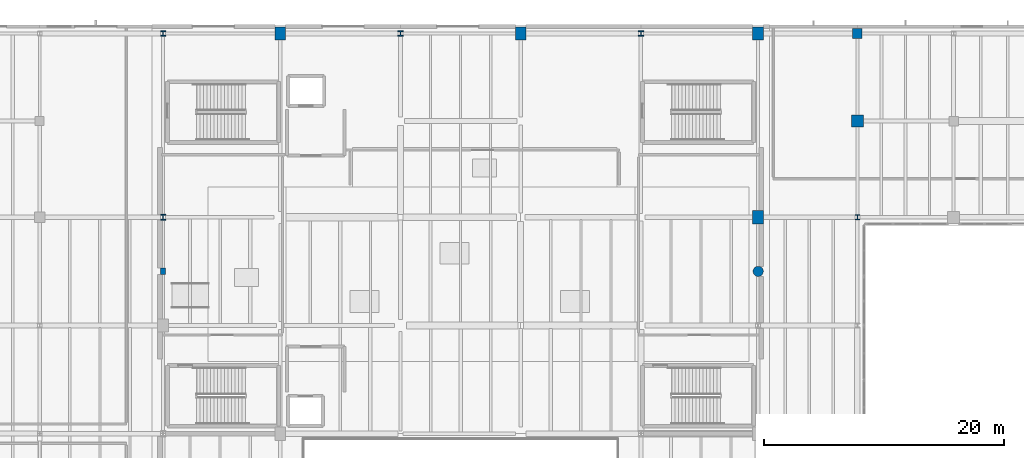
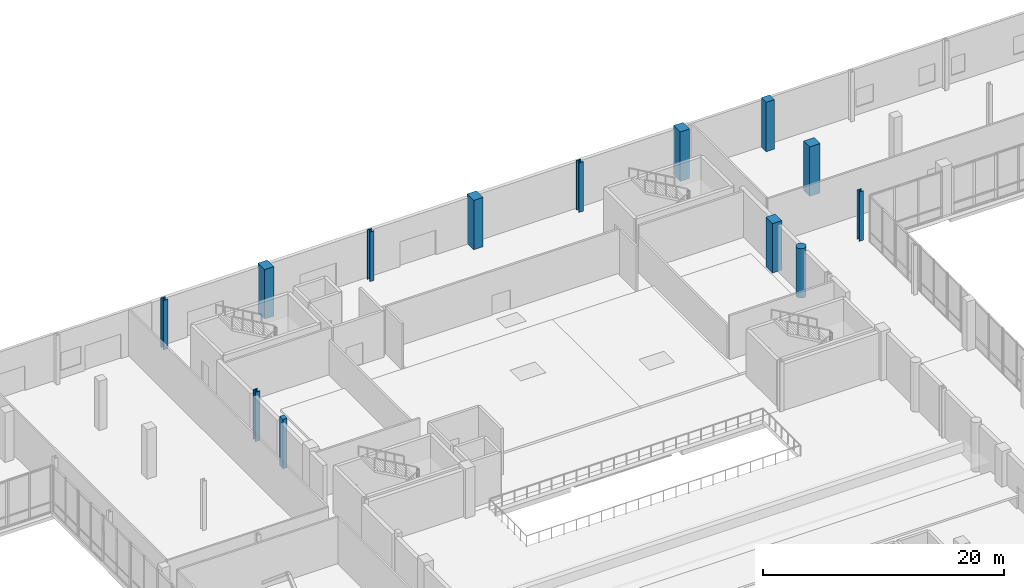
# One storey, part 13 of 88: 13 columns.
"""IFC4 building model written with IfcOpenShell, lengths in metres."""

from ifc_helpers import new_model, si_unit, direction, frame, origin, origin_2d, place, context, subcontext, project, spatial, rectangle, circle, i_section, extrude, material, material_profile, profile_set, type_object, element, save


model = new_model("IFC4")

# Units and contexts
model_context = context("Model", 3, precision=1e-05, world=origin(), true_north=direction((0.0, 1.0)))
body_context = subcontext(model_context, "Body", "Model", "MODEL_VIEW")
ifc_project = project(units=[si_unit("LENGTHUNIT", "METRE"), si_unit("AREAUNIT", "SQUARE_METRE"), si_unit("VOLUMEUNIT", "CUBIC_METRE"), si_unit("PLANEANGLEUNIT", "RADIAN"), si_unit("MASSUNIT", "GRAM", prefix="KILO")], contexts=[model_context])

# Site, building, storey
site_placement = place(None, origin())
site = spatial("IfcSite", under=ifc_project, at=site_placement, CompositionType="ELEMENT")
building_placement = place(site_placement, origin())
building = spatial("IfcBuilding", under=site, at=building_placement, Name="Trimount Lyric Opera House", CompositionType="ELEMENT")
storey_placement = place(building_placement, origin())
storey = spatial("IfcBuildingStorey", under=building, at=storey_placement, Name="L00", CompositionType="ELEMENT", Elevation=0.0)

# Columns
ifc_material_1 = material(Name="Steel ASTM A992 Grade 50", Category="steel")
ifc_material_profile_1 = material_profile(ifc_material_1, i_section(OverallWidth=0.422119140625, OverallDepth=0.465087890625, WebThickness=0.044921875, FlangeThickness=0.072509765625, FilletRadius=0.02001953125, at=origin_2d()), Name="W14X398")
ifc_profile_set_1 = profile_set([ifc_material_profile_1], Name="Steel ASTM A992 Grade 50")
column_type_1 = type_object("IfcColumnType", Name="C-01", PredefinedType="COLUMN", material=ifc_profile_set_1)
for number, where, z_axis, x_axis, name in (
    (1, (64.260009765625, 102.0, 0.0), (0.0, 0.0, 1.0), (1.0, 0.0, 0.0), "L00 column 8/M"),
    (2, (64.260009765625, 117.280029296875, 0.0), (0.0, 0.0, 1.0), (1.0, 0.0, 0.0), "L00 column 8/P"),
    (3, (84.0, 117.280029296875, 0.0), (0.0, 0.0, 1.0), (1.0, 0.0, 0.0), "L00 column 10/P"),
    (4, (104.0, 117.280029296875, 0.0), (0.0, 0.0, 1.0), (1.0, 0.0, 0.0), "L00 column 12/P"),
):
    element("IfcColumn", number, at=place(storey_placement, frame(where, z_axis=z_axis, x_axis=x_axis)), inside=storey, type_object=column_type_1, Name=name, PredefinedType="COLUMN", context=body_context, shape_type="SweptSolid", body=[
        extrude(i_section(OverallWidth=0.422119140625, OverallDepth=0.465087890625, WebThickness=0.044921875, FlangeThickness=0.072509765625, FilletRadius=0.02001953125, at=origin_2d()), origin(), (0.0, 0.0, 1.0), 5.0),
    ])
ifc_material_2 = material(Name="Steel ASTM A992 Grade 50", Category="steel")
ifc_material_profile_2 = material_profile(ifc_material_2, i_section(OverallWidth=0.39892578125, OverallDepth=0.385986328125, WebThickness=0.02099609375, FlangeThickness=0.033203125, FilletRadius=0.01611328125, at=origin_2d()), Name="W14X176")
ifc_profile_set_2 = profile_set([ifc_material_profile_2], Name="Steel ASTM A992 Grade 50")
column_type_2 = type_object("IfcColumnType", Name="C-03", PredefinedType="COLUMN", material=ifc_profile_set_2)
column_1_placement = place(storey_placement, frame((122.0, 102.0, 0.0), z_axis=(0.0, 0.0, 1.0), x_axis=(1.0, 0.0, 0.0)))
element("IfcColumn", 5, at=column_1_placement, inside=storey, type_object=column_type_2, Name="L00 column 14/M", PredefinedType="COLUMN", context=body_context, shape_type="SweptSolid", body=[
    extrude(i_section(OverallWidth=0.39892578125, OverallDepth=0.385986328125, WebThickness=0.02099609375, FlangeThickness=0.033203125, FilletRadius=0.01611328125, at=origin_2d()), origin(), (0.0, 0.0, 1.0), 5.0),
])
ifc_material_3 = material(Name="Concrete C50/60", Category="concrete")
ifc_material_profile_3 = material_profile(ifc_material_3, rectangle(XDim=0.89990234375, YDim=1.10009765625, at=origin_2d()), Name="RC1100X900")
ifc_profile_set_3 = profile_set([ifc_material_profile_3], Name="Concrete C50/60")
column_type_3 = type_object("IfcColumnType", Name="C-11", PredefinedType="COLUMN", material=ifc_profile_set_3)
for number, where, z_axis, x_axis, name in (
    (6, (74.0, 117.280029296875, 0.0), (0.0, 0.0, 1.0), (1.0, 0.0, 0.0), "L00 column 9/P"),
    (7, (94.0, 117.280029296875, 0.0), (0.0, 0.0, 1.0), (1.0, 0.0, 0.0), "L00 column 11/P"),
    (8, (113.739990234375, 102.0, 0.0), (0.0, 0.0, 1.0), (1.0, 0.0, 0.0), "L00 column 13/M"),
    (9, (113.739990234375, 117.280029296875, 0.0), (0.0, 0.0, 1.0), (1.0, 0.0, 0.0), "L00 column 13/P"),
):
    element("IfcColumn", number, at=place(storey_placement, frame(where, z_axis=z_axis, x_axis=x_axis)), inside=storey, type_object=column_type_3, Name=name, PredefinedType="COLUMN", context=body_context, shape_type="SweptSolid", body=[
        extrude(rectangle(XDim=0.89990234375, YDim=1.10009765625, at=origin_2d()), origin(), (0.0, 0.0, 1.0), 5.0),
    ])
ifc_material_4 = material(Name="Concrete C50/60", Category="concrete")
ifc_material_profile_4 = material_profile(ifc_material_4, rectangle(XDim=1.0, YDim=1.0, at=origin_2d()), Name="RC1000X1000")
ifc_profile_set_4 = profile_set([ifc_material_profile_4], Name="Concrete C50/60")
column_type_4 = type_object("IfcColumnType", Name="C-12", PredefinedType="COLUMN", material=ifc_profile_set_4)
column_2_placement = place(storey_placement, frame((122.0, 110.0, 0.0), z_axis=(0.0, 0.0, 1.0), x_axis=(1.0, 0.0, 0.0)))
element("IfcColumn", 10, at=column_2_placement, inside=storey, type_object=column_type_4, Name="L00 column 14/N", PredefinedType="COLUMN", context=body_context, shape_type="SweptSolid", body=[
    extrude(rectangle(XDim=1.0, YDim=1.0, at=origin_2d()), origin(), (0.0, 0.0, 1.0), 5.0),
])
ifc_material_5 = material(Name="Concrete C40/50", Category="concrete")
ifc_material_profile_5 = material_profile(ifc_material_5, rectangle(XDim=0.800048828125, YDim=0.800048828125, at=origin_2d()), Name="RC800X800")
ifc_profile_set_5 = profile_set([ifc_material_profile_5], Name="Concrete C40/50")
column_type_5 = type_object("IfcColumnType", Name="C-14", PredefinedType="COLUMN", material=ifc_profile_set_5)
column_3_placement = place(storey_placement, frame((122.0, 117.280029296875, 0.0), z_axis=(0.0, 0.0, 1.0), x_axis=(1.0, 0.0, 0.0)))
element("IfcColumn", 11, at=column_3_placement, inside=storey, type_object=column_type_5, Name="L00 column 14/P", PredefinedType="COLUMN", context=body_context, shape_type="SweptSolid", body=[
    extrude(rectangle(XDim=0.800048828125, YDim=0.800048828125, at=origin_2d()), origin(), (0.0, 0.0, 1.0), 5.0),
])
ifc_material_6 = material(Name="Concrete C40/50", Category="concrete")
ifc_material_profile_6 = material_profile(ifc_material_6, rectangle(XDim=0.39990234375, YDim=0.550048828125, at=origin_2d()), Name="RC550X400")
ifc_profile_set_6 = profile_set([ifc_material_profile_6], Name="Concrete C40/50")
column_type_6 = type_object("IfcColumnType", Name="CP-01", PredefinedType="PILASTER", material=ifc_profile_set_6)
column_4_placement = place(storey_placement, frame((64.25, 97.5, 0.0), z_axis=(0.0, 0.0, 1.0), x_axis=(1.0, 0.0, 0.0)))
element("IfcColumn", 12, at=column_4_placement, inside=storey, type_object=column_type_6, Name="L00 acoustic shell pilaster W4", PredefinedType="PILASTER", context=body_context, shape_type="SweptSolid", body=[
    extrude(rectangle(XDim=0.39990234375, YDim=0.550048828125, at=origin_2d()), origin(), (0.0, 0.0, 1.0), 5.0),
])
ifc_material_7 = material(Name="Concrete C50/60", Category="concrete")
ifc_material_profile_7 = material_profile(ifc_material_7, circle(Radius=0.425048828125, at=origin_2d()), Name="RC-D850")
ifc_profile_set_7 = profile_set([ifc_material_profile_7], Name="Concrete C50/60")
column_type_7 = type_object("IfcColumnType", Name="CP-02", PredefinedType="PILASTER", material=ifc_profile_set_7)
column_5_placement = place(storey_placement, frame((113.75, 97.5, 0.0), z_axis=(0.0, 0.0, 1.0), x_axis=(1.0, 0.0, 0.0)))
element("IfcColumn", 13, at=column_5_placement, inside=storey, type_object=column_type_7, Name="L00 acoustic shell pilaster E4", PredefinedType="PILASTER", context=body_context, shape_type="SweptSolid", body=[
    extrude(circle(Radius=0.425048828125, at=origin_2d()), origin(), (0.0, 0.0, 1.0), 5.0),
])

save(model, "model.ifc")
